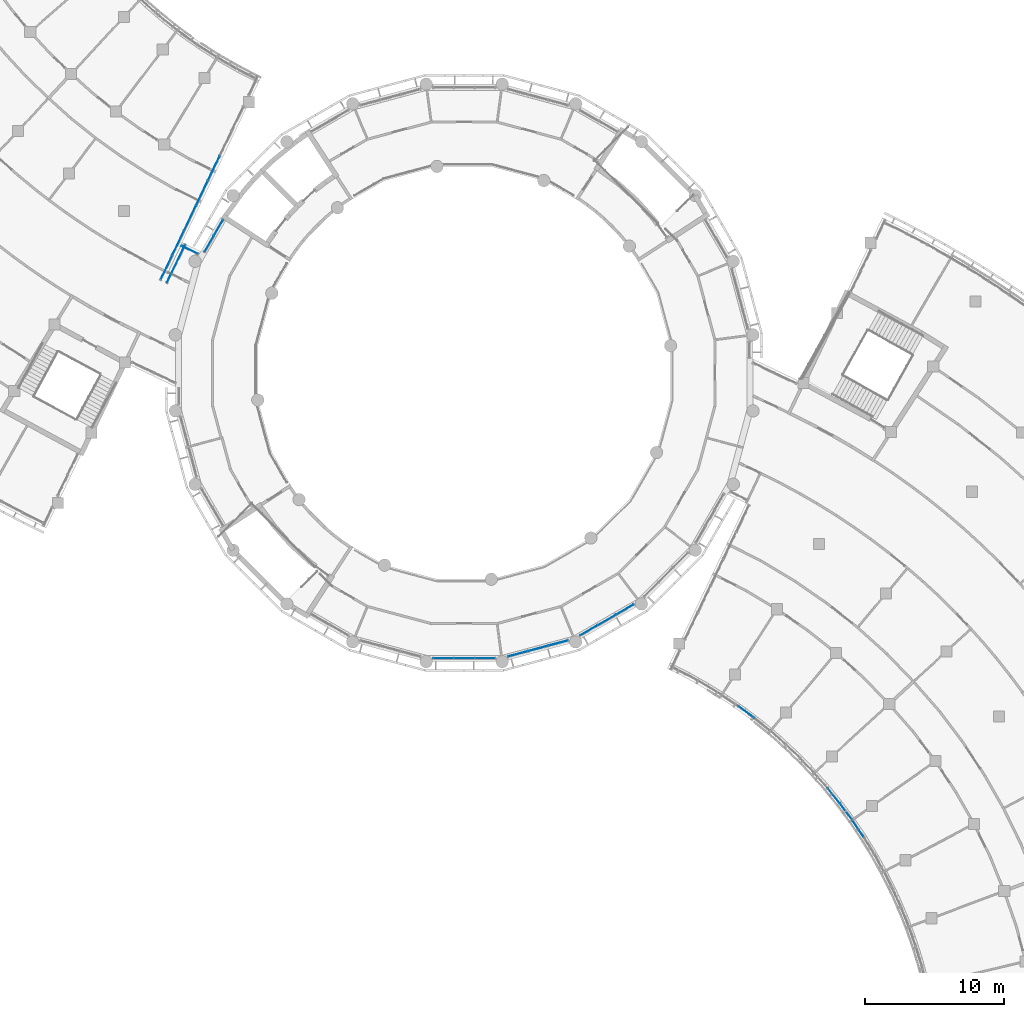
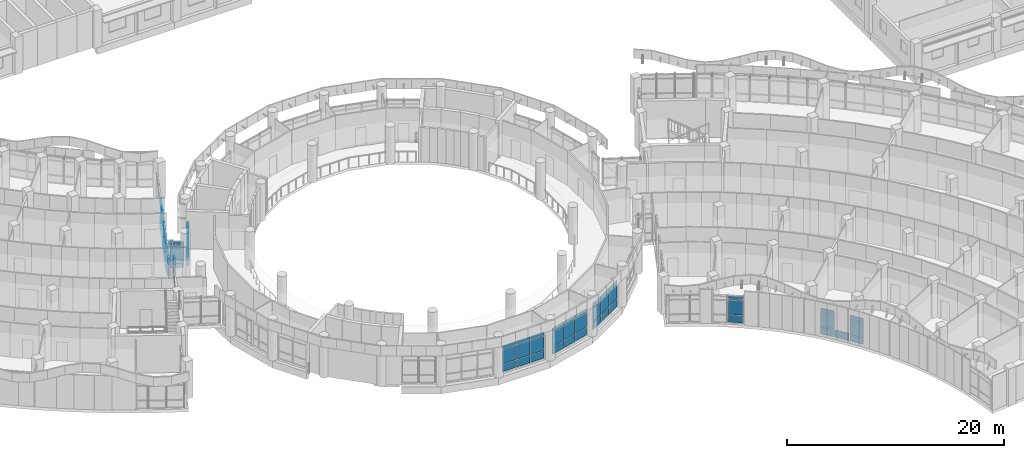
# One storey, part 32 of 109: 63 plates, 10 elements without a shape of their own.
"""IFC4 building model written with IfcOpenShell, lengths in metres."""

from ifc_helpers import new_model, si_unit, direction, frame, origin, origin_2d, place, context, subcontext, project, spatial, rectangle, extrude, material, layer, layer_set, type_object, element, aggregate, save


model = new_model("IFC4")

# Units and contexts
model_context = context("Model", 3, precision=1e-05, world=origin(), true_north=direction((0.0, 1.0)))
body_context = subcontext(model_context, "Body", "Model", "MODEL_VIEW")
ifc_project = project(units=[si_unit("LENGTHUNIT", "METRE"), si_unit("AREAUNIT", "SQUARE_METRE"), si_unit("VOLUMEUNIT", "CUBIC_METRE"), si_unit("PLANEANGLEUNIT", "RADIAN"), si_unit("MASSUNIT", "GRAM", prefix="KILO")], contexts=[model_context])

# Site, building, storey
site_placement = place(None, origin())
site = spatial("IfcSite", under=ifc_project, at=site_placement, CompositionType="ELEMENT")
building_placement = place(site_placement, origin())
building = spatial("IfcBuilding", under=site, at=building_placement, Name="Bougainvillea Quay General Hospital", CompositionType="ELEMENT")
storey_placement = place(building_placement, frame((0.0, 0.0, 12.60009765625)))
storey = spatial("IfcBuildingStorey", under=building, at=storey_placement, Name="L02", CompositionType="ELEMENT", Elevation=12.60009765625)

# Curtain wall, plates
ifc_material_1 = material(Name="Aluminium curtain wall system, powder-coated glazed", Category="aluminium")
curtain_wall_type_1 = type_object("IfcCurtainWallType", Name="Unitised curtain wall CW-1422", PredefinedType="NOTDEFINED", material=ifc_material_1)
curtain_wall_1_placement = place(storey_placement, origin())
curtain_wall_1 = element("IfcCurtainWall", 1, at=curtain_wall_1_placement, inside=storey, type_object=curtain_wall_type_1, Name="CW-AE 00", PredefinedType="NOTDEFINED")
ifc_material_2 = material(Name="Insulated aluminium spandrel panel, white", Category="aluminium")
ifc_layer_1 = layer(ifc_material_2, 0.028076171875)
ifc_layer_set_1 = layer_set([ifc_layer_1], Name="Insulated aluminium spandrel panel, white")
plate_type_1 = type_object("IfcPlateType", Name="Insulated spandrel panel white 28", PredefinedType="CURTAIN_PANEL", material=ifc_layer_set_1)
plate_1_placement = place(storey_placement, frame((89.413818359375, 82.866455078125, 0.059814453125), z_axis=(0.0, 0.0, 1.0), x_axis=(-0.902574242771, 0.430534245195, 0.0)))
plate_1 = element("IfcPlate", 2, at=plate_1_placement, type_object=plate_type_1, Name="CW-AE spandrel panel 1.1", PredefinedType="CURTAIN_PANEL", context=body_context, shape_type="SweptSolid", body=[
    extrude(rectangle(XDim=1.301513671875, YDim=0.028076171875, at=origin_2d()), origin(), (0.0, 0.0, 1.0), 0.81005859375),
])
plate_2_placement = place(storey_placement, frame((89.413818359375, 82.866455078125, 2.580078125), z_axis=(0.0, 0.0, 1.0), x_axis=(-0.902574242771, 0.430534245195, 0.0)))
plate_2 = element("IfcPlate", 3, at=plate_2_placement, type_object=plate_type_1, Name="CW-AE spandrel panel 1.3", PredefinedType="CURTAIN_PANEL", context=body_context, shape_type="SweptSolid", body=[
    extrude(rectangle(XDim=1.301513671875, YDim=0.028076171875, at=origin_2d()), origin(), (0.0, 0.0, 1.0), 0.409912109375),
])

curtain_wall_type_2 = type_object("IfcCurtainWallType", Name="Unitised curtain wall CW-3140", PredefinedType="NOTDEFINED", material=ifc_material_1)
curtain_wall_2_placement = place(storey_placement, origin())
curtain_wall_2 = element("IfcCurtainWall", 4, at=curtain_wall_2_placement, inside=storey, type_object=curtain_wall_type_2, Name="CW-AE 00", PredefinedType="NOTDEFINED")
plate_3_placement = place(storey_placement, frame((88.4296875, 81.873779296875, 0.059814453125), z_axis=(0.0, 0.0, 1.0), x_axis=(-0.430700101624, -0.902495109384, 0.0)))
plate_3 = element("IfcPlate", 5, at=plate_3_placement, type_object=plate_type_1, Name="CW-AE spandrel panel 1.1", PredefinedType="CURTAIN_PANEL", context=body_context, shape_type="SweptSolid", body=[
    extrude(rectangle(XDim=3.01904296875, YDim=0.028076171875, at=origin_2d()), origin(), (0.0, 0.0, 1.0), 0.81005859375),
])
plate_4_placement = place(storey_placement, frame((88.4296875, 81.873779296875, 2.580078125), z_axis=(0.0, 0.0, 1.0), x_axis=(-0.430700101624, -0.902495109384, 0.0)))
plate_4 = element("IfcPlate", 6, at=plate_4_placement, type_object=plate_type_1, Name="CW-AE spandrel panel 1.3", PredefinedType="CURTAIN_PANEL", context=body_context, shape_type="SweptSolid", body=[
    extrude(rectangle(XDim=3.01904296875, YDim=0.028076171875, at=origin_2d()), origin(), (0.0, 0.0, 1.0), 0.409912109375),
])

curtain_wall_type_3 = type_object("IfcCurtainWallType", Name="Unitised curtain wall CW-1989", PredefinedType="NOTDEFINED", material=ifc_material_1)
curtain_wall_3_placement = place(storey_placement, origin())
curtain_wall_3 = element("IfcCurtainWall", 7, at=curtain_wall_3_placement, inside=storey, type_object=curtain_wall_type_3, Name="CW-AE 00", PredefinedType="NOTDEFINED")
plate_5_placement = place(storey_placement, frame((87.73681640625, 81.58349609375, 2.580078125), z_axis=(0.0, 0.0, 1.0), x_axis=(0.430563040838, 0.902560506484, 0.0)))
plate_5 = element("IfcPlate", 8, at=plate_5_placement, type_object=plate_type_1, Name="CW-AE spandrel panel 1.3", PredefinedType="CURTAIN_PANEL", context=body_context, shape_type="SweptSolid", body=[
    extrude(rectangle(XDim=1.8984375, YDim=0.028076171875, at=origin_2d()), origin(), (0.0, 0.0, 1.0), 0.409912109375),
])
plate_6_placement = place(storey_placement, frame((88.586669921875, 83.36474609375, 0.059814453125), z_axis=(0.0, 0.0, 1.0), x_axis=(0.430563040838, 0.902560506484, 0.0)))
plate_6 = element("IfcPlate", 9, at=plate_6_placement, type_object=plate_type_1, Name="CW-AE spandrel panel 2.1", PredefinedType="CURTAIN_PANEL", context=body_context, shape_type="SweptSolid", body=[
    extrude(rectangle(XDim=1.928466796875, YDim=0.028076171875, at=origin_2d()), origin(), (0.0, 0.0, 1.0), 0.81005859375),
])
plate_7_placement = place(storey_placement, frame((88.586669921875, 83.36474609375, 2.580078125), z_axis=(0.0, 0.0, 1.0), x_axis=(0.430563040838, 0.902560506484, 0.0)))
plate_7 = element("IfcPlate", 10, at=plate_7_placement, type_object=plate_type_1, Name="CW-AE spandrel panel 2.3", PredefinedType="CURTAIN_PANEL", context=body_context, shape_type="SweptSolid", body=[
    extrude(rectangle(XDim=1.928466796875, YDim=0.028076171875, at=origin_2d()), origin(), (0.0, 0.0, 1.0), 0.409912109375),
])
plate_8_placement = place(storey_placement, frame((89.44287109375, 85.159423828125, 0.059814453125), z_axis=(0.0, 0.0, 1.0), x_axis=(0.430563040838, 0.902560506484, 0.0)))
plate_8 = element("IfcPlate", 11, at=plate_8_placement, type_object=plate_type_1, Name="CW-AE spandrel panel 3.1", PredefinedType="CURTAIN_PANEL", context=body_context, shape_type="SweptSolid", body=[
    extrude(rectangle(XDim=1.928466796875, YDim=0.028076171875, at=origin_2d()), origin(), (0.0, 0.0, 1.0), 0.81005859375),
])
plate_9_placement = place(storey_placement, frame((89.44287109375, 85.159423828125, 2.580078125), z_axis=(0.0, 0.0, 1.0), x_axis=(0.430563040838, 0.902560506484, 0.0)))
plate_9 = element("IfcPlate", 12, at=plate_9_placement, type_object=plate_type_1, Name="CW-AE spandrel panel 3.3", PredefinedType="CURTAIN_PANEL", context=body_context, shape_type="SweptSolid", body=[
    extrude(rectangle(XDim=1.928466796875, YDim=0.028076171875, at=origin_2d()), origin(), (0.0, 0.0, 1.0), 0.409912109375),
])
plate_10_placement = place(storey_placement, frame((90.298828125, 86.9541015625, 0.059814453125), z_axis=(0.0, 0.0, 1.0), x_axis=(0.430563040838, 0.902560506484, 0.0)))
plate_10 = element("IfcPlate", 13, at=plate_10_placement, type_object=plate_type_1, Name="CW-AE spandrel panel 4.1", PredefinedType="CURTAIN_PANEL", context=body_context, shape_type="SweptSolid", body=[
    extrude(rectangle(XDim=1.928466796875, YDim=0.028076171875, at=origin_2d()), origin(), (0.0, 0.0, 1.0), 0.81005859375),
])
plate_11_placement = place(storey_placement, frame((90.298828125, 86.9541015625, 2.580078125), z_axis=(0.0, 0.0, 1.0), x_axis=(0.430563040838, 0.902560506484, 0.0)))
plate_11 = element("IfcPlate", 14, at=plate_11_placement, type_object=plate_type_1, Name="CW-AE spandrel panel 4.3", PredefinedType="CURTAIN_PANEL", context=body_context, shape_type="SweptSolid", body=[
    extrude(rectangle(XDim=1.928466796875, YDim=0.028076171875, at=origin_2d()), origin(), (0.0, 0.0, 1.0), 0.409912109375),
])
plate_12_placement = place(storey_placement, frame((91.155029296875, 88.748779296875, 0.059814453125), z_axis=(0.0, 0.0, 1.0), x_axis=(0.430563040838, 0.902560506484, 0.0)))
plate_12 = element("IfcPlate", 15, at=plate_12_placement, type_object=plate_type_1, Name="CW-AE spandrel panel 5.1", PredefinedType="CURTAIN_PANEL", context=body_context, shape_type="SweptSolid", body=[
    extrude(rectangle(XDim=1.928466796875, YDim=0.028076171875, at=origin_2d()), origin(), (0.0, 0.0, 1.0), 0.81005859375),
])
plate_13_placement = place(storey_placement, frame((91.155029296875, 88.748779296875, 2.580078125), z_axis=(0.0, 0.0, 1.0), x_axis=(0.430563040838, 0.902560506484, 0.0)))
plate_13 = element("IfcPlate", 16, at=plate_13_placement, type_object=plate_type_1, Name="CW-AE spandrel panel 5.3", PredefinedType="CURTAIN_PANEL", context=body_context, shape_type="SweptSolid", body=[
    extrude(rectangle(XDim=1.928466796875, YDim=0.028076171875, at=origin_2d()), origin(), (0.0, 0.0, 1.0), 0.409912109375),
])

curtain_wall_type_4 = type_object("IfcCurtainWallType", Name="Unitised curtain wall CW-2100", PredefinedType="NOTDEFINED", material=ifc_material_1)
curtain_wall_4_placement = place(storey_placement, origin())
curtain_wall_4 = element("IfcCurtainWall", 17, at=curtain_wall_4_placement, inside=storey, type_object=curtain_wall_type_4, Name="CW-E02 a21b1", PredefinedType="NOTDEFINED")
plate_14_placement = place(storey_placement, frame((129.552734375, 49.537109375, 0.059814453125), z_axis=(0.0, 0.0, 1.0), x_axis=(0.804188946942, -0.594373735638, 0.0)))
plate_14 = element("IfcPlate", 18, at=plate_14_placement, type_object=plate_type_1, Name="CW-E02 spandrel panel 2.1", PredefinedType="CURTAIN_PANEL", context=body_context, shape_type="SweptSolid", body=[
    extrude(rectangle(XDim=1.39697265625, YDim=0.028076171875, at=origin_2d()), origin(), (0.0, 0.0, 1.0), 0.81005859375),
])
plate_15_placement = place(storey_placement, frame((129.552734375, 49.537109375, 2.580078125), z_axis=(0.0, 0.0, 1.0), x_axis=(0.804188946942, -0.594373735638, 0.0)))
plate_15 = element("IfcPlate", 19, at=plate_15_placement, type_object=plate_type_1, Name="CW-E02 spandrel panel 2.3", PredefinedType="CURTAIN_PANEL", context=body_context, shape_type="SweptSolid", body=[
    extrude(rectangle(XDim=1.39697265625, YDim=0.028076171875, at=origin_2d()), origin(), (0.0, 0.0, 1.0), 0.409912109375),
])

curtain_wall_5_placement = place(storey_placement, origin())
curtain_wall_5 = element("IfcCurtainWall", 20, at=curtain_wall_5_placement, inside=storey, type_object=curtain_wall_type_4, Name="CW-E04 a21b3", PredefinedType="NOTDEFINED")
plate_16_placement = place(storey_placement, frame((135.845703125, 43.506591796875, 0.059814453125), z_axis=(0.0, 0.0, 1.0), x_axis=(0.62807171477, -0.778155460757, 0.0)))
plate_16 = element("IfcPlate", 21, at=plate_16_placement, type_object=plate_type_1, Name="CW-E04 spandrel panel 2.1", PredefinedType="CURTAIN_PANEL", context=body_context, shape_type="SweptSolid", body=[
    extrude(rectangle(XDim=1.39697265625, YDim=0.028076171875, at=origin_2d()), origin(), (0.0, 0.0, 1.0), 0.81005859375),
])
plate_17_placement = place(storey_placement, frame((135.845703125, 43.506591796875, 2.580078125), z_axis=(0.0, 0.0, 1.0), x_axis=(0.62807171477, -0.778155460757, 0.0)))
plate_17 = element("IfcPlate", 22, at=plate_17_placement, type_object=plate_type_1, Name="CW-E04 spandrel panel 2.3", PredefinedType="CURTAIN_PANEL", context=body_context, shape_type="SweptSolid", body=[
    extrude(rectangle(XDim=1.39697265625, YDim=0.028076171875, at=origin_2d()), origin(), (0.0, 0.0, 1.0), 0.409912109375),
])
plate_18_placement = place(storey_placement, frame((136.727294921875, 42.365966796875, 0.059814453125), z_axis=(0.0, 0.0, 1.0), x_axis=(0.594411163652, -0.804161282658, 0.0)))
plate_18 = element("IfcPlate", 23, at=plate_18_placement, type_object=plate_type_1, Name="CW-E04 spandrel panel 3.1", PredefinedType="CURTAIN_PANEL", context=body_context, shape_type="SweptSolid", body=[
    extrude(rectangle(XDim=1.366943359375, YDim=0.028076171875, at=origin_2d()), origin(), (0.0, 0.0, 1.0), 0.81005859375),
])

curtain_wall_6_placement = place(storey_placement, origin())
curtain_wall_6 = element("IfcCurtainWall", 24, at=curtain_wall_6_placement, inside=storey, type_object=curtain_wall_type_4, Name="CW-E05 a21b4", PredefinedType="NOTDEFINED")
plate_19_placement = place(storey_placement, frame((137.585205078125, 41.152099609375, 0.059814453125), z_axis=(0.0, 0.0, 1.0), x_axis=(0.559675123314, -0.828712107033, 0.0)))
plate_19 = element("IfcPlate", 25, at=plate_19_placement, type_object=plate_type_1, Name="CW-E05 spandrel panel 1.1", PredefinedType="CURTAIN_PANEL", context=body_context, shape_type="SweptSolid", body=[
    extrude(rectangle(XDim=1.366943359375, YDim=0.028076171875, at=origin_2d()), origin(), (0.0, 0.0, 1.0), 0.81005859375),
])
plate_20_placement = place(storey_placement, frame((137.585205078125, 41.152099609375, 2.580078125), z_axis=(0.0, 0.0, 1.0), x_axis=(0.559675123314, -0.828712107033, 0.0)))
plate_20 = element("IfcPlate", 26, at=plate_20_placement, type_object=plate_type_1, Name="CW-E05 spandrel panel 1.3", PredefinedType="CURTAIN_PANEL", context=body_context, shape_type="SweptSolid", body=[
    extrude(rectangle(XDim=1.366943359375, YDim=0.028076171875, at=origin_2d()), origin(), (0.0, 0.0, 1.0), 0.409912109375),
])

curtain_wall_type_5 = type_object("IfcCurtainWallType", Name="Unitised curtain wall CW-1514", PredefinedType="NOTDEFINED", material=ifc_material_1)
curtain_wall_7_placement = place(storey_placement, origin())
curtain_wall_7 = element("IfcCurtainWall", 27, at=curtain_wall_7_placement, inside=storey, type_object=curtain_wall_type_5, Name="CW-D 00", PredefinedType="NOTDEFINED")
plate_21_placement = place(storey_placement, frame((107.700927734375, 53.429931640625, 0.059814453125), z_axis=(0.0, 0.0, 1.0), x_axis=(1.0, 0.0, 0.0)))
plate_21 = element("IfcPlate", 28, at=plate_21_placement, type_object=plate_type_1, Name="CW-D spandrel panel 1.1", PredefinedType="CURTAIN_PANEL", context=body_context, shape_type="SweptSolid", body=[
    extrude(rectangle(XDim=1.424072265625, YDim=0.028076171875, at=origin_2d()), origin(), (0.0, 0.0, 1.0), 0.81005859375),
])
plate_22_placement = place(storey_placement, frame((107.700927734375, 53.429931640625, 2.580078125), z_axis=(0.0, 0.0, 1.0), x_axis=(1.0, 0.0, 0.0)))
plate_22 = element("IfcPlate", 29, at=plate_22_placement, type_object=plate_type_1, Name="CW-D spandrel panel 1.3", PredefinedType="CURTAIN_PANEL", context=body_context, shape_type="SweptSolid", body=[
    extrude(rectangle(XDim=1.424072265625, YDim=0.028076171875, at=origin_2d()), origin(), (0.0, 0.0, 1.0), 0.409912109375),
])
plate_23_placement = place(storey_placement, frame((109.199951171875, 53.429931640625, 0.059814453125), z_axis=(0.0, 0.0, 1.0), x_axis=(1.0, 0.0, 0.0)))
plate_23 = element("IfcPlate", 30, at=plate_23_placement, type_object=plate_type_1, Name="CW-D spandrel panel 2.1", PredefinedType="CURTAIN_PANEL", context=body_context, shape_type="SweptSolid", body=[
    extrude(rectangle(XDim=1.4541015625, YDim=0.028076171875, at=origin_2d()), origin(), (0.0, 0.0, 1.0), 0.81005859375),
])
plate_24_placement = place(storey_placement, frame((109.199951171875, 53.429931640625, 2.580078125), z_axis=(0.0, 0.0, 1.0), x_axis=(1.0, 0.0, 0.0)))
plate_24 = element("IfcPlate", 31, at=plate_24_placement, type_object=plate_type_1, Name="CW-D spandrel panel 2.3", PredefinedType="CURTAIN_PANEL", context=body_context, shape_type="SweptSolid", body=[
    extrude(rectangle(XDim=1.4541015625, YDim=0.028076171875, at=origin_2d()), origin(), (0.0, 0.0, 1.0), 0.409912109375),
])
plate_25_placement = place(storey_placement, frame((110.698974609375, 53.429931640625, 0.059814453125), z_axis=(0.0, 0.0, 1.0), x_axis=(1.0, 0.0, 0.0)))
plate_25 = element("IfcPlate", 32, at=plate_25_placement, type_object=plate_type_1, Name="CW-D spandrel panel 3.1", PredefinedType="CURTAIN_PANEL", context=body_context, shape_type="SweptSolid", body=[
    extrude(rectangle(XDim=1.424072265625, YDim=0.028076171875, at=origin_2d()), origin(), (0.0, 0.0, 1.0), 0.81005859375),
])
plate_26_placement = place(storey_placement, frame((110.698974609375, 53.429931640625, 2.580078125), z_axis=(0.0, 0.0, 1.0), x_axis=(1.0, 0.0, 0.0)))
plate_26 = element("IfcPlate", 33, at=plate_26_placement, type_object=plate_type_1, Name="CW-D spandrel panel 3.3", PredefinedType="CURTAIN_PANEL", context=body_context, shape_type="SweptSolid", body=[
    extrude(rectangle(XDim=1.424072265625, YDim=0.028076171875, at=origin_2d()), origin(), (0.0, 0.0, 1.0), 0.409912109375),
])

curtain_wall_8_placement = place(storey_placement, origin())
curtain_wall_8 = element("IfcCurtainWall", 34, at=curtain_wall_8_placement, inside=storey, type_object=curtain_wall_type_5, Name="CW-D 00", PredefinedType="NOTDEFINED")
plate_27_placement = place(storey_placement, frame((113.075927734375, 53.742919921875, 0.059814453125), z_axis=(0.0, 0.0, 1.0), x_axis=(0.965916292974, 0.258854621298, 0.0)))
plate_27 = element("IfcPlate", 35, at=plate_27_placement, type_object=plate_type_1, Name="CW-D spandrel panel 1.1", PredefinedType="CURTAIN_PANEL", context=body_context, shape_type="SweptSolid", body=[
    extrude(rectangle(XDim=1.423828125, YDim=0.028076171875, at=origin_2d()), origin(), (0.0, 0.0, 1.0), 0.81005859375),
])
plate_28_placement = place(storey_placement, frame((113.075927734375, 53.742919921875, 2.580078125), z_axis=(0.0, 0.0, 1.0), x_axis=(0.965916292974, 0.258854621298, 0.0)))
plate_28 = element("IfcPlate", 36, at=plate_28_placement, type_object=plate_type_1, Name="CW-D spandrel panel 1.3", PredefinedType="CURTAIN_PANEL", context=body_context, shape_type="SweptSolid", body=[
    extrude(rectangle(XDim=1.423828125, YDim=0.028076171875, at=origin_2d()), origin(), (0.0, 0.0, 1.0), 0.409912109375),
])
plate_29_placement = place(storey_placement, frame((114.523681640625, 54.130859375, 0.059814453125), z_axis=(0.0, 0.0, 1.0), x_axis=(0.965916292974, 0.258854621298, 0.0)))
plate_29 = element("IfcPlate", 37, at=plate_29_placement, type_object=plate_type_1, Name="CW-D spandrel panel 2.1", PredefinedType="CURTAIN_PANEL", context=body_context, shape_type="SweptSolid", body=[
    extrude(rectangle(XDim=1.453857421875, YDim=0.028076171875, at=origin_2d()), origin(), (0.0, 0.0, 1.0), 0.81005859375),
])
plate_30_placement = place(storey_placement, frame((114.523681640625, 54.130859375, 2.580078125), z_axis=(0.0, 0.0, 1.0), x_axis=(0.965916292974, 0.258854621298, 0.0)))
plate_30 = element("IfcPlate", 38, at=plate_30_placement, type_object=plate_type_1, Name="CW-D spandrel panel 2.3", PredefinedType="CURTAIN_PANEL", context=body_context, shape_type="SweptSolid", body=[
    extrude(rectangle(XDim=1.453857421875, YDim=0.028076171875, at=origin_2d()), origin(), (0.0, 0.0, 1.0), 0.409912109375),
])
plate_31_placement = place(storey_placement, frame((115.9716796875, 54.51904296875, 0.059814453125), z_axis=(0.0, 0.0, 1.0), x_axis=(0.965916292974, 0.258854621298, 0.0)))
plate_31 = element("IfcPlate", 39, at=plate_31_placement, type_object=plate_type_1, Name="CW-D spandrel panel 3.1", PredefinedType="CURTAIN_PANEL", context=body_context, shape_type="SweptSolid", body=[
    extrude(rectangle(XDim=1.423828125, YDim=0.028076171875, at=origin_2d()), origin(), (0.0, 0.0, 1.0), 0.81005859375),
])
plate_32_placement = place(storey_placement, frame((115.9716796875, 54.51904296875, 2.580078125), z_axis=(0.0, 0.0, 1.0), x_axis=(0.965916292974, 0.258854621298, 0.0)))
plate_32 = element("IfcPlate", 40, at=plate_32_placement, type_object=plate_type_1, Name="CW-D spandrel panel 3.3", PredefinedType="CURTAIN_PANEL", context=body_context, shape_type="SweptSolid", body=[
    extrude(rectangle(XDim=1.423828125, YDim=0.028076171875, at=origin_2d()), origin(), (0.0, 0.0, 1.0), 0.409912109375),
])

curtain_wall_type_6 = type_object("IfcCurtainWallType", Name="Unitised curtain wall CW-1515", PredefinedType="NOTDEFINED", material=ifc_material_1)
curtain_wall_9_placement = place(storey_placement, origin())
curtain_wall_9 = element("IfcCurtainWall", 41, at=curtain_wall_9_placement, inside=storey, type_object=curtain_wall_type_6, Name="CW-D 00", PredefinedType="NOTDEFINED")
plate_33_placement = place(storey_placement, frame((118.186767578125, 55.4365234375, 0.059814453125), z_axis=(0.0, 0.0, 1.0), x_axis=(0.866045865692, 0.499964557262, 0.0)))
plate_33 = element("IfcPlate", 42, at=plate_33_placement, type_object=plate_type_1, Name="CW-D spandrel panel 1.1", PredefinedType="CURTAIN_PANEL", context=body_context, shape_type="SweptSolid", body=[
    extrude(rectangle(XDim=1.424072265625, YDim=0.028076171875, at=origin_2d()), origin(), (0.0, 0.0, 1.0), 0.81005859375),
])
plate_34_placement = place(storey_placement, frame((118.186767578125, 55.4365234375, 2.580078125), z_axis=(0.0, 0.0, 1.0), x_axis=(0.866045865692, 0.499964557262, 0.0)))
plate_34 = element("IfcPlate", 43, at=plate_34_placement, type_object=plate_type_1, Name="CW-D spandrel panel 1.3", PredefinedType="CURTAIN_PANEL", context=body_context, shape_type="SweptSolid", body=[
    extrude(rectangle(XDim=1.424072265625, YDim=0.028076171875, at=origin_2d()), origin(), (0.0, 0.0, 1.0), 0.409912109375),
])
plate_35_placement = place(storey_placement, frame((119.485107421875, 56.18603515625, 0.059814453125), z_axis=(0.0, 0.0, 1.0), x_axis=(0.866045865692, 0.499964557262, 0.0)))
plate_35 = element("IfcPlate", 44, at=plate_35_placement, type_object=plate_type_1, Name="CW-D spandrel panel 2.1", PredefinedType="CURTAIN_PANEL", context=body_context, shape_type="SweptSolid", body=[
    extrude(rectangle(XDim=1.4541015625, YDim=0.028076171875, at=origin_2d()), origin(), (0.0, 0.0, 1.0), 0.81005859375),
])
plate_36_placement = place(storey_placement, frame((119.485107421875, 56.18603515625, 2.580078125), z_axis=(0.0, 0.0, 1.0), x_axis=(0.866045865692, 0.499964557262, 0.0)))
plate_36 = element("IfcPlate", 45, at=plate_36_placement, type_object=plate_type_1, Name="CW-D spandrel panel 2.3", PredefinedType="CURTAIN_PANEL", context=body_context, shape_type="SweptSolid", body=[
    extrude(rectangle(XDim=1.4541015625, YDim=0.028076171875, at=origin_2d()), origin(), (0.0, 0.0, 1.0), 0.409912109375),
])
plate_37_placement = place(storey_placement, frame((120.783203125, 56.935546875, 0.059814453125), z_axis=(0.0, 0.0, 1.0), x_axis=(0.866045865692, 0.499964557262, 0.0)))
plate_37 = element("IfcPlate", 46, at=plate_37_placement, type_object=plate_type_1, Name="CW-D spandrel panel 3.1", PredefinedType="CURTAIN_PANEL", context=body_context, shape_type="SweptSolid", body=[
    extrude(rectangle(XDim=1.424072265625, YDim=0.028076171875, at=origin_2d()), origin(), (0.0, 0.0, 1.0), 0.81005859375),
])
plate_38_placement = place(storey_placement, frame((120.783203125, 56.935546875, 2.580078125), z_axis=(0.0, 0.0, 1.0), x_axis=(0.866045865692, 0.499964557262, 0.0)))
plate_38 = element("IfcPlate", 47, at=plate_38_placement, type_object=plate_type_1, Name="CW-D spandrel panel 3.3", PredefinedType="CURTAIN_PANEL", context=body_context, shape_type="SweptSolid", body=[
    extrude(rectangle(XDim=1.424072265625, YDim=0.028076171875, at=origin_2d()), origin(), (0.0, 0.0, 1.0), 0.409912109375),
])

curtain_wall_type_7 = type_object("IfcCurtainWallType", Name="Unitised curtain wall CW-1372", PredefinedType="NOTDEFINED", material=ifc_material_1)
curtain_wall_10_placement = place(storey_placement, origin())
curtain_wall_10 = element("IfcCurtainWall", 48, at=curtain_wall_10_placement, inside=storey, type_object=curtain_wall_type_7, Name="CW-D 00", PredefinedType="NOTDEFINED")
plate_39_placement = place(storey_placement, frame((91.48486328125, 84.456298828125, 0.059814453125), z_axis=(0.0, 0.0, 1.0), x_axis=(-0.499961526253, -0.866047615473, 0.0)))
plate_39 = element("IfcPlate", 49, at=plate_39_placement, type_object=plate_type_1, Name="CW-D spandrel panel 1.1", PredefinedType="CURTAIN_PANEL", context=body_context, shape_type="SweptSolid", body=[
    extrude(rectangle(XDim=1.281982421875, YDim=0.028076171875, at=origin_2d()), origin(), (0.0, 0.0, 1.0), 0.81005859375),
])
plate_40_placement = place(storey_placement, frame((91.48486328125, 84.456298828125, 2.580078125), z_axis=(0.0, 0.0, 1.0), x_axis=(-0.499961526253, -0.866047615473, 0.0)))
plate_40 = element("IfcPlate", 50, at=plate_40_placement, type_object=plate_type_1, Name="CW-D spandrel panel 1.3", PredefinedType="CURTAIN_PANEL", context=body_context, shape_type="SweptSolid", body=[
    extrude(rectangle(XDim=1.281982421875, YDim=0.028076171875, at=origin_2d()), origin(), (0.0, 0.0, 1.0), 0.409912109375),
])
plate_41_placement = place(storey_placement, frame((90.81396484375, 83.294189453125, 0.059814453125), z_axis=(0.0, 0.0, 1.0), x_axis=(-0.499961526253, -0.866047615473, 0.0)))
plate_41 = element("IfcPlate", 51, at=plate_41_placement, type_object=plate_type_1, Name="CW-D spandrel panel 2.1", PredefinedType="CURTAIN_PANEL", context=body_context, shape_type="SweptSolid", body=[
    extrude(rectangle(XDim=1.281982421875, YDim=0.028076171875, at=origin_2d()), origin(), (0.0, 0.0, 1.0), 0.81005859375),
])
plate_42_placement = place(storey_placement, frame((90.81396484375, 83.294189453125, 2.580078125), z_axis=(0.0, 0.0, 1.0), x_axis=(-0.499961526253, -0.866047615473, 0.0)))
plate_42 = element("IfcPlate", 52, at=plate_42_placement, type_object=plate_type_1, Name="CW-D spandrel panel 2.3", PredefinedType="CURTAIN_PANEL", context=body_context, shape_type="SweptSolid", body=[
    extrude(rectangle(XDim=1.281982421875, YDim=0.028076171875, at=origin_2d()), origin(), (0.0, 0.0, 1.0), 0.409912109375),
])

# Plate
ifc_material_3 = material(Name="Low-e laminated glass, solar control", Category="glass")
ifc_layer_2 = layer(ifc_material_3, 0.028076171875)
ifc_layer_set_2 = layer_set([ifc_layer_2], Name="Low-e laminated glass, solar control")
plate_type_2 = type_object("IfcPlateType", Name="Low-e laminated vision glass 28", PredefinedType="CURTAIN_PANEL", material=ifc_layer_set_2)
plate_43_placement = place(storey_placement, frame((89.413818359375, 82.866455078125, 0.9296875), z_axis=(0.0, 0.0, 1.0), x_axis=(-0.902574242771, 0.430534245195, 0.0)))
plate_43 = element("IfcPlate", 53, at=plate_43_placement, type_object=plate_type_2, Name="CW-AE vision glass panel 1.2", PredefinedType="CURTAIN_PANEL", context=body_context, shape_type="SweptSolid", body=[
    extrude(rectangle(XDim=1.301513671875, YDim=0.028076171875, at=origin_2d()), origin(), (0.0, 0.0, 1.0), 1.590087890625),
])

aggregate(curtain_wall_1, [plate_1, plate_43, plate_2])

plate_44_placement = place(storey_placement, frame((88.4296875, 81.873779296875, 0.9296875), z_axis=(0.0, 0.0, 1.0), x_axis=(-0.430700101624, -0.902495109384, 0.0)))
plate_44 = element("IfcPlate", 54, at=plate_44_placement, type_object=plate_type_2, Name="CW-AE vision glass panel 1.2", PredefinedType="CURTAIN_PANEL", context=body_context, shape_type="SweptSolid", body=[
    extrude(rectangle(XDim=3.01904296875, YDim=0.028076171875, at=origin_2d()), origin(), (0.0, 0.0, 1.0), 1.590087890625),
])

aggregate(curtain_wall_2, [plate_3, plate_44, plate_4])

plate_45_placement = place(storey_placement, frame((87.73681640625, 81.58349609375, 0.9296875), z_axis=(0.0, 0.0, 1.0), x_axis=(0.430563040838, 0.902560506484, 0.0)))
plate_45 = element("IfcPlate", 55, at=plate_45_placement, type_object=plate_type_2, Name="CW-AE vision glass panel 1.2", PredefinedType="CURTAIN_PANEL", context=body_context, shape_type="SweptSolid", body=[
    extrude(rectangle(XDim=1.8984375, YDim=0.028076171875, at=origin_2d()), origin(), (0.0, 0.0, 1.0), 1.590087890625),
])

plate_46_placement = place(storey_placement, frame((88.586669921875, 83.36474609375, 0.9296875), z_axis=(0.0, 0.0, 1.0), x_axis=(0.430563040838, 0.902560506484, 0.0)))
plate_46 = element("IfcPlate", 56, at=plate_46_placement, type_object=plate_type_2, Name="CW-AE vision glass panel 2.2", PredefinedType="CURTAIN_PANEL", context=body_context, shape_type="SweptSolid", body=[
    extrude(rectangle(XDim=1.928466796875, YDim=0.028076171875, at=origin_2d()), origin(), (0.0, 0.0, 1.0), 1.590087890625),
])

plate_47_placement = place(storey_placement, frame((89.44287109375, 85.159423828125, 0.9296875), z_axis=(0.0, 0.0, 1.0), x_axis=(0.430563040838, 0.902560506484, 0.0)))
plate_47 = element("IfcPlate", 57, at=plate_47_placement, type_object=plate_type_2, Name="CW-AE vision glass panel 3.2", PredefinedType="CURTAIN_PANEL", context=body_context, shape_type="SweptSolid", body=[
    extrude(rectangle(XDim=1.928466796875, YDim=0.028076171875, at=origin_2d()), origin(), (0.0, 0.0, 1.0), 1.590087890625),
])

plate_48_placement = place(storey_placement, frame((90.298828125, 86.9541015625, 0.9296875), z_axis=(0.0, 0.0, 1.0), x_axis=(0.430563040838, 0.902560506484, 0.0)))
plate_48 = element("IfcPlate", 58, at=plate_48_placement, type_object=plate_type_2, Name="CW-AE vision glass panel 4.2", PredefinedType="CURTAIN_PANEL", context=body_context, shape_type="SweptSolid", body=[
    extrude(rectangle(XDim=1.928466796875, YDim=0.028076171875, at=origin_2d()), origin(), (0.0, 0.0, 1.0), 1.590087890625),
])

plate_49_placement = place(storey_placement, frame((91.155029296875, 88.748779296875, 0.9296875), z_axis=(0.0, 0.0, 1.0), x_axis=(0.430563040838, 0.902560506484, 0.0)))
plate_49 = element("IfcPlate", 59, at=plate_49_placement, type_object=plate_type_2, Name="CW-AE vision glass panel 5.2", PredefinedType="CURTAIN_PANEL", context=body_context, shape_type="SweptSolid", body=[
    extrude(rectangle(XDim=1.928466796875, YDim=0.028076171875, at=origin_2d()), origin(), (0.0, 0.0, 1.0), 1.590087890625),
])

aggregate(curtain_wall_3, [plate_45, plate_5, plate_6, plate_46, plate_7, plate_8, plate_47, plate_9, plate_10, plate_48, plate_11, plate_12, plate_49, plate_13])

plate_50_placement = place(storey_placement, frame((129.552734375, 49.537109375, 0.9296875), z_axis=(0.0, 0.0, 1.0), x_axis=(0.804188946942, -0.594373735638, 0.0)))
plate_50 = element("IfcPlate", 60, at=plate_50_placement, type_object=plate_type_2, Name="CW-E02 vision glass panel 2.2", PredefinedType="CURTAIN_PANEL", context=body_context, shape_type="SweptSolid", body=[
    extrude(rectangle(XDim=1.39697265625, YDim=0.028076171875, at=origin_2d()), origin(), (0.0, 0.0, 1.0), 1.590087890625),
])

aggregate(curtain_wall_4, [plate_14, plate_50, plate_15])

plate_51_placement = place(storey_placement, frame((135.845703125, 43.506591796875, 0.9296875), z_axis=(0.0, 0.0, 1.0), x_axis=(0.62807171477, -0.778155460757, 0.0)))
plate_51 = element("IfcPlate", 61, at=plate_51_placement, type_object=plate_type_2, Name="CW-E04 vision glass panel 2.2", PredefinedType="CURTAIN_PANEL", context=body_context, shape_type="SweptSolid", body=[
    extrude(rectangle(XDim=1.39697265625, YDim=0.028076171875, at=origin_2d()), origin(), (0.0, 0.0, 1.0), 1.590087890625),
])

aggregate(curtain_wall_5, [plate_16, plate_51, plate_17, plate_18])

plate_52_placement = place(storey_placement, frame((137.585205078125, 41.152099609375, 0.9296875), z_axis=(0.0, 0.0, 1.0), x_axis=(0.559675123314, -0.828712107033, 0.0)))
plate_52 = element("IfcPlate", 62, at=plate_52_placement, type_object=plate_type_2, Name="CW-E05 vision glass panel 1.2", PredefinedType="CURTAIN_PANEL", context=body_context, shape_type="SweptSolid", body=[
    extrude(rectangle(XDim=1.366943359375, YDim=0.028076171875, at=origin_2d()), origin(), (0.0, 0.0, 1.0), 1.590087890625),
])

aggregate(curtain_wall_6, [plate_19, plate_52, plate_20])

plate_53_placement = place(storey_placement, frame((107.700927734375, 53.429931640625, 0.9296875), z_axis=(0.0, 0.0, 1.0), x_axis=(1.0, 0.0, 0.0)))
plate_53 = element("IfcPlate", 63, at=plate_53_placement, type_object=plate_type_2, Name="CW-D vision glass panel 1.2", PredefinedType="CURTAIN_PANEL", context=body_context, shape_type="SweptSolid", body=[
    extrude(rectangle(XDim=1.424072265625, YDim=0.028076171875, at=origin_2d()), origin(), (0.0, 0.0, 1.0), 1.590087890625),
])

plate_54_placement = place(storey_placement, frame((109.199951171875, 53.429931640625, 0.9296875), z_axis=(0.0, 0.0, 1.0), x_axis=(1.0, 0.0, 0.0)))
plate_54 = element("IfcPlate", 64, at=plate_54_placement, type_object=plate_type_2, Name="CW-D vision glass panel 2.2", PredefinedType="CURTAIN_PANEL", context=body_context, shape_type="SweptSolid", body=[
    extrude(rectangle(XDim=1.4541015625, YDim=0.028076171875, at=origin_2d()), origin(), (0.0, 0.0, 1.0), 1.590087890625),
])

plate_55_placement = place(storey_placement, frame((110.698974609375, 53.429931640625, 0.9296875), z_axis=(0.0, 0.0, 1.0), x_axis=(1.0, 0.0, 0.0)))
plate_55 = element("IfcPlate", 65, at=plate_55_placement, type_object=plate_type_2, Name="CW-D vision glass panel 3.2", PredefinedType="CURTAIN_PANEL", context=body_context, shape_type="SweptSolid", body=[
    extrude(rectangle(XDim=1.424072265625, YDim=0.028076171875, at=origin_2d()), origin(), (0.0, 0.0, 1.0), 1.590087890625),
])

aggregate(curtain_wall_7, [plate_21, plate_53, plate_22, plate_23, plate_54, plate_24, plate_25, plate_55, plate_26])

plate_56_placement = place(storey_placement, frame((113.075927734375, 53.742919921875, 0.9296875), z_axis=(0.0, 0.0, 1.0), x_axis=(0.965916292974, 0.258854621298, 0.0)))
plate_56 = element("IfcPlate", 66, at=plate_56_placement, type_object=plate_type_2, Name="CW-D vision glass panel 1.2", PredefinedType="CURTAIN_PANEL", context=body_context, shape_type="SweptSolid", body=[
    extrude(rectangle(XDim=1.423828125, YDim=0.028076171875, at=origin_2d()), origin(), (0.0, 0.0, 1.0), 1.590087890625),
])

plate_57_placement = place(storey_placement, frame((114.523681640625, 54.130859375, 0.9296875), z_axis=(0.0, 0.0, 1.0), x_axis=(0.965916292974, 0.258854621298, 0.0)))
plate_57 = element("IfcPlate", 67, at=plate_57_placement, type_object=plate_type_2, Name="CW-D vision glass panel 2.2", PredefinedType="CURTAIN_PANEL", context=body_context, shape_type="SweptSolid", body=[
    extrude(rectangle(XDim=1.453857421875, YDim=0.028076171875, at=origin_2d()), origin(), (0.0, 0.0, 1.0), 1.590087890625),
])

plate_58_placement = place(storey_placement, frame((115.9716796875, 54.51904296875, 0.9296875), z_axis=(0.0, 0.0, 1.0), x_axis=(0.965916292974, 0.258854621298, 0.0)))
plate_58 = element("IfcPlate", 68, at=plate_58_placement, type_object=plate_type_2, Name="CW-D vision glass panel 3.2", PredefinedType="CURTAIN_PANEL", context=body_context, shape_type="SweptSolid", body=[
    extrude(rectangle(XDim=1.423828125, YDim=0.028076171875, at=origin_2d()), origin(), (0.0, 0.0, 1.0), 1.590087890625),
])

aggregate(curtain_wall_8, [plate_27, plate_56, plate_28, plate_29, plate_57, plate_30, plate_31, plate_58, plate_32])

plate_59_placement = place(storey_placement, frame((118.186767578125, 55.4365234375, 0.9296875), z_axis=(0.0, 0.0, 1.0), x_axis=(0.866045865692, 0.499964557262, 0.0)))
plate_59 = element("IfcPlate", 69, at=plate_59_placement, type_object=plate_type_2, Name="CW-D vision glass panel 1.2", PredefinedType="CURTAIN_PANEL", context=body_context, shape_type="SweptSolid", body=[
    extrude(rectangle(XDim=1.424072265625, YDim=0.028076171875, at=origin_2d()), origin(), (0.0, 0.0, 1.0), 1.590087890625),
])

plate_60_placement = place(storey_placement, frame((119.485107421875, 56.18603515625, 0.9296875), z_axis=(0.0, 0.0, 1.0), x_axis=(0.866045865692, 0.499964557262, 0.0)))
plate_60 = element("IfcPlate", 70, at=plate_60_placement, type_object=plate_type_2, Name="CW-D vision glass panel 2.2", PredefinedType="CURTAIN_PANEL", context=body_context, shape_type="SweptSolid", body=[
    extrude(rectangle(XDim=1.4541015625, YDim=0.028076171875, at=origin_2d()), origin(), (0.0, 0.0, 1.0), 1.590087890625),
])

plate_61_placement = place(storey_placement, frame((120.783203125, 56.935546875, 0.9296875), z_axis=(0.0, 0.0, 1.0), x_axis=(0.866045865692, 0.499964557262, 0.0)))
plate_61 = element("IfcPlate", 71, at=plate_61_placement, type_object=plate_type_2, Name="CW-D vision glass panel 3.2", PredefinedType="CURTAIN_PANEL", context=body_context, shape_type="SweptSolid", body=[
    extrude(rectangle(XDim=1.424072265625, YDim=0.028076171875, at=origin_2d()), origin(), (0.0, 0.0, 1.0), 1.590087890625),
])

aggregate(curtain_wall_9, [plate_33, plate_59, plate_34, plate_35, plate_60, plate_36, plate_37, plate_61, plate_38])

plate_62_placement = place(storey_placement, frame((91.48486328125, 84.456298828125, 0.9296875), z_axis=(0.0, 0.0, 1.0), x_axis=(-0.499961526253, -0.866047615473, 0.0)))
plate_62 = element("IfcPlate", 72, at=plate_62_placement, type_object=plate_type_2, Name="CW-D vision glass panel 1.2", PredefinedType="CURTAIN_PANEL", context=body_context, shape_type="SweptSolid", body=[
    extrude(rectangle(XDim=1.281982421875, YDim=0.028076171875, at=origin_2d()), origin(), (0.0, 0.0, 1.0), 1.590087890625),
])

plate_63_placement = place(storey_placement, frame((90.81396484375, 83.294189453125, 0.9296875), z_axis=(0.0, 0.0, 1.0), x_axis=(-0.499961526253, -0.866047615473, 0.0)))
plate_63 = element("IfcPlate", 73, at=plate_63_placement, type_object=plate_type_2, Name="CW-D vision glass panel 2.2", PredefinedType="CURTAIN_PANEL", context=body_context, shape_type="SweptSolid", body=[
    extrude(rectangle(XDim=1.281982421875, YDim=0.028076171875, at=origin_2d()), origin(), (0.0, 0.0, 1.0), 1.590087890625),
])

aggregate(curtain_wall_10, [plate_39, plate_62, plate_40, plate_41, plate_63, plate_42])

save(model, "model.ifc")
